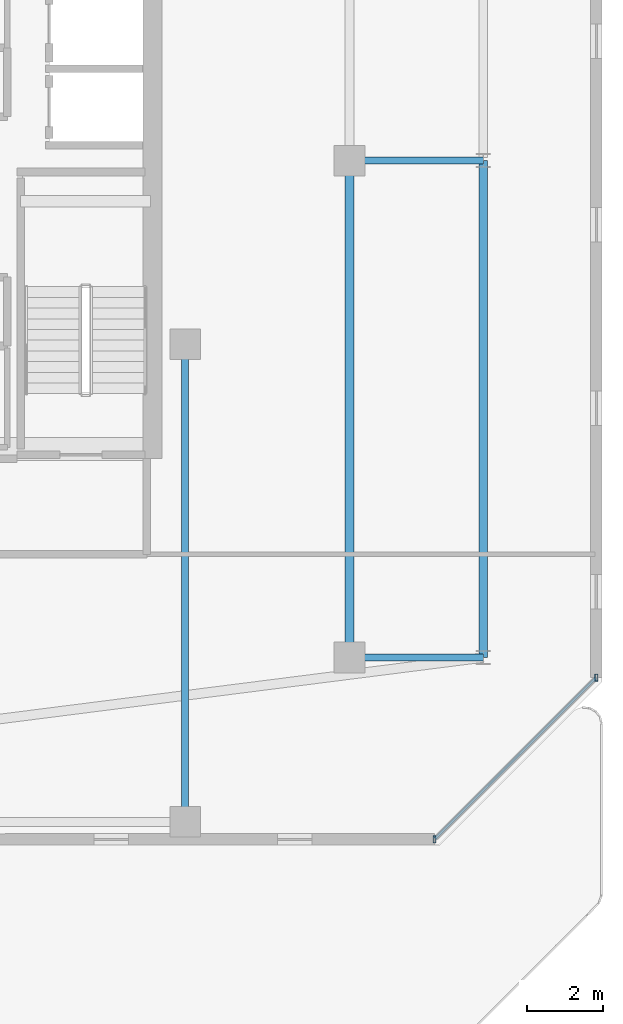
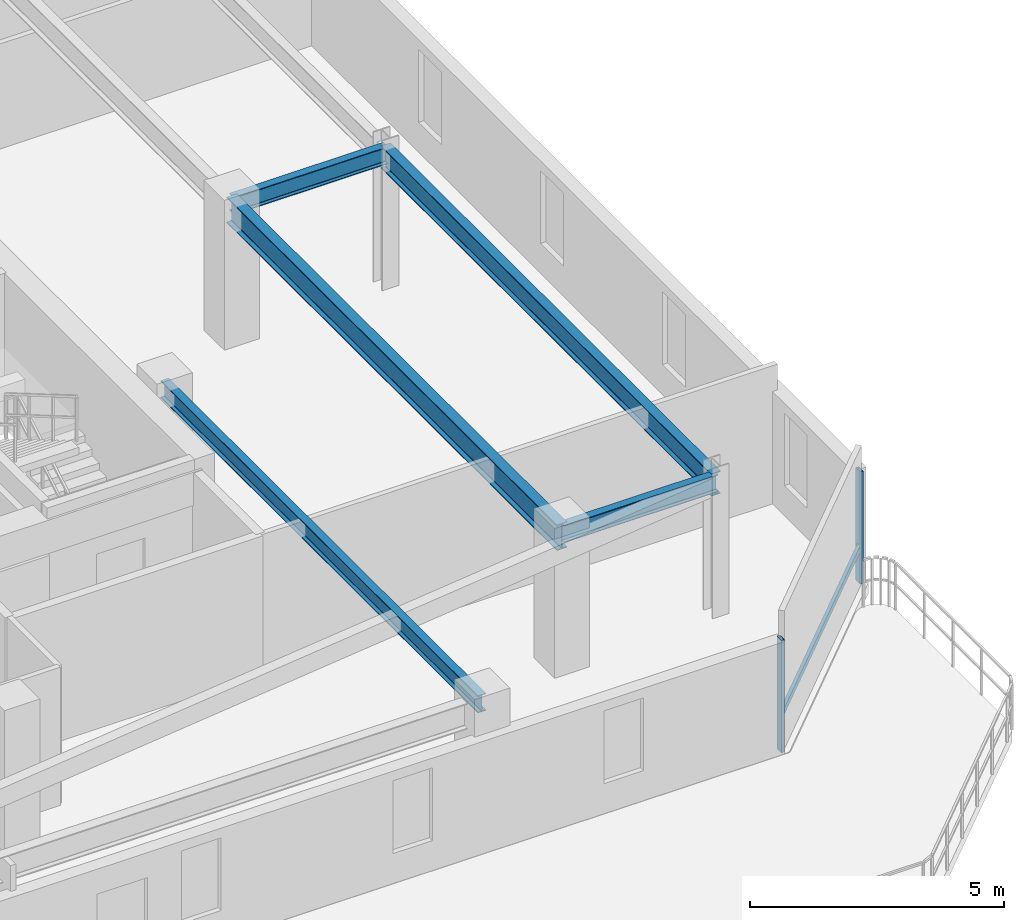
# One storey, part 12 of 31: 5 beams, 3 members, 1 element without a shape of its own.
"""IFC4 building model written with IfcOpenShell, lengths in metres."""

from ifc_helpers import new_model, si_unit, direction, frame, origin, origin_2d, place, context, subcontext, project, spatial, hollow_rectangle, i_section, extrude, material, material_profile, profile_set, type_object, element, aggregate, save


model = new_model("IFC4")

# Units and contexts
model_context = context("Model", 3, precision=1e-05, world=origin(), true_north=direction((0.0, 1.0)))
body_context = subcontext(model_context, "Body", "Model", "MODEL_VIEW")
ifc_project = project(units=[si_unit("LENGTHUNIT", "METRE"), si_unit("AREAUNIT", "SQUARE_METRE"), si_unit("VOLUMEUNIT", "CUBIC_METRE"), si_unit("PLANEANGLEUNIT", "RADIAN"), si_unit("MASSUNIT", "GRAM", prefix="KILO")], contexts=[model_context])

# Site, building, storey
site_placement = place(None, origin())
site = spatial("IfcSite", under=ifc_project, at=site_placement, CompositionType="ELEMENT")
building_placement = place(site_placement, origin())
building = spatial("IfcBuilding", under=site, at=building_placement, Name="Thornwick Lancets Civic Towers", CompositionType="ELEMENT")
storey_placement = place(building_placement, frame((0.0, 0.0, 254.699951171875)))
storey = spatial("IfcBuildingStorey", under=building, at=storey_placement, Name="L68", CompositionType="ELEMENT", Elevation=254.699951171875)

# Beams
ifc_material_1 = material(Name="Steel S355JR", Category="steel")
ifc_material_profile_1 = material_profile(ifc_material_1, i_section(OverallWidth=0.210693359375, OverallDepth=0.53955078125, WebThickness=0.01171875, FlangeThickness=0.018798828125, FilletRadius=0.0126953125, at=origin_2d()), Name="UKB 533x210x109")
ifc_profile_set_1 = profile_set([ifc_material_profile_1], Name="Steel S355JR")
beam_type_1 = type_object("IfcBeamType", Name="BM_EDGE_533_109", PredefinedType="SPANDREL", material=ifc_profile_set_1)
beam_1_placement = place(storey_placement, frame((109.300048828125, 14.0, 3.0703125), z_axis=(0.0, 1.0, 0.0), x_axis=(-1.0, 0.0, 0.0)))
element("IfcBeam", 1, at=beam_1_placement, inside=storey, type_object=beam_type_1, Name="BM-EDGE-L68-B-S0-1", PredefinedType="SPANDREL", context=body_context, shape_type="SweptSolid", body=[
    extrude(i_section(OverallWidth=0.210693359375, OverallDepth=0.53955078125, WebThickness=0.01171875, FlangeThickness=0.018798828125, FilletRadius=0.0126953125, at=origin_2d()), origin(), (0.0, 0.0, 1.0), 13.0),
])
ifc_material_profile_2 = material_profile(ifc_material_1, i_section(OverallWidth=0.230224609375, OverallDepth=0.6171875, WebThickness=0.01318359375, FlangeThickness=0.022216796875, FilletRadius=0.0126953125, at=origin_2d()), Name="UKB 610x229x140")
ifc_profile_set_2 = profile_set([ifc_material_profile_2], Name="Steel S355JR")
beam_type_2 = type_object("IfcBeamType", Name="BM_GIRD_610_140", PredefinedType="BEAM", material=ifc_profile_set_2)
beam_2_placement = place(storey_placement, frame((105.800048828125, 14.0, 3.031494140625), z_axis=(0.0, 1.0, 0.0), x_axis=(-1.0, 0.0, 0.0)))
element("IfcBeam", 2, at=beam_2_placement, inside=storey, type_object=beam_type_2, Name="BM-SPINE-L68-B-0-1", PredefinedType="BEAM", context=body_context, shape_type="SweptSolid", body=[
    extrude(i_section(OverallWidth=0.230224609375, OverallDepth=0.6171875, WebThickness=0.01318359375, FlangeThickness=0.022216796875, FilletRadius=0.0126953125, at=origin_2d()), origin(), (0.0, 0.0, 1.0), 13.0),
])
ifc_material_profile_3 = material_profile(ifc_material_1, i_section(OverallWidth=0.179443359375, OverallDepth=0.412841796875, WebThickness=0.009521484375, FlangeThickness=0.01611328125, FilletRadius=0.01025390625, at=origin_2d()), Name="UKB 406x178x74")
ifc_profile_set_3 = profile_set([ifc_material_profile_3], Name="Steel S355JR")
beam_type_3 = type_object("IfcBeamType", Name="BM_JOIST_406_74", PredefinedType="JOIST", material=ifc_profile_set_3)
for number, where, z_axis, x_axis, name in (
    (3, (105.800048828125, 14.0, 3.133544921875), (1.0, 0.0, 0.0), (0.0, 1.0, 0.0), "BM-RAD-L68-B01"),
    (4, (105.800048828125, 27.0, 3.133544921875), (1.0, 0.0, 0.0), (0.0, 1.0, 0.0), "BM-RAD-L68-B02"),
):
    element("IfcBeam", number, at=place(storey_placement, frame(where, z_axis=z_axis, x_axis=x_axis)), inside=storey, type_object=beam_type_3, Name=name, PredefinedType="JOIST", context=body_context, shape_type="SweptSolid", body=[
        extrude(i_section(OverallWidth=0.179443359375, OverallDepth=0.412841796875, WebThickness=0.009521484375, FlangeThickness=0.01611328125, FilletRadius=0.01025390625, at=origin_2d()), origin(), (0.0, 0.0, 1.0), 3.5),
    ])
beam_3_placement = place(storey_placement, frame((101.5, 22.199951171875, 3.133544921875), z_axis=(0.0, -1.0, 0.0), x_axis=(1.0, 0.0, 0.0)))
element("IfcBeam", 5, at=beam_3_placement, inside=storey, type_object=beam_type_3, Name="BM-RADIN-L68-B10", PredefinedType="JOIST", context=body_context, shape_type="SweptSolid", body=[
    extrude(i_section(OverallWidth=0.179443359375, OverallDepth=0.412841796875, WebThickness=0.009521484375, FlangeThickness=0.01611328125, FilletRadius=0.01025390625, at=origin_2d()), origin(), (0.0, 0.0, 1.0), 12.5),
])

# Curtain wall, members
ifc_material_2 = material(Name="High-zone chamfered-corner unitised glass curtain wall", Category="glass")
curtain_wall_type = type_object("IfcCurtainWallType", Name="CW_SYS_05", PredefinedType="NOTDEFINED", material=ifc_material_2)
curtain_wall_placement = place(storey_placement, origin())
curtain_wall = element("IfcCurtainWall", 6, at=curtain_wall_placement, inside=storey, type_object=curtain_wall_type, Name="L68 Curtain Wall CW-L68-B-E1", PredefinedType="NOTDEFINED")
ifc_material_3 = material(Name="Thermally broken bronze aluminium S355", Category="steel")
ifc_material_profile_4 = material_profile(ifc_material_3, hollow_rectangle(XDim=0.074951171875, YDim=0.179931640625, WallThickness=0.006103515625, at=origin_2d()), Name="RHS 180x75x6")
ifc_profile_set_4 = profile_set([ifc_material_profile_4], Name="Thermally broken bronze aluminium S355")
member_type_1 = type_object("IfcMemberType", Name="CW_MUL_180", PredefinedType="MULLION", material=ifc_profile_set_4)
member_1_placement = place(storey_placement, frame((108.02587890625, 9.24072265625, 0.0), z_axis=(0.0, 0.0, 1.0), x_axis=(1.0, 0.0, 0.0)))
member_1 = element("IfcMember", 7, at=member_1_placement, type_object=member_type_1, Name="CW-L68-B-E1 Mullion 0", PredefinedType="MULLION", context=body_context, shape_type="SweptSolid", body=[
    extrude(hollow_rectangle(XDim=0.074951171875, YDim=0.179931640625, WallThickness=0.006103515625, at=origin_2d()), origin(), (0.0, 0.0, 1.0), 2.699951171875),
])
member_2_placement = place(storey_placement, frame((112.25927734375, 13.47412109375, 0.0), z_axis=(0.0, 0.0, 1.0), x_axis=(1.0, 0.0, 0.0)))
member_2 = element("IfcMember", 8, at=member_2_placement, type_object=member_type_1, Name="CW-L68-B-E1 Mullion 1", PredefinedType="MULLION", context=body_context, shape_type="SweptSolid", body=[
    extrude(hollow_rectangle(XDim=0.074951171875, YDim=0.179931640625, WallThickness=0.006103515625, at=origin_2d()), origin(), (0.0, 0.0, 1.0), 2.699951171875),
])
ifc_material_profile_5 = material_profile(ifc_material_3, hollow_rectangle(XDim=0.074951171875, YDim=0.14990234375, WallThickness=0.0048828125, at=origin_2d()), Name="RHS 150x75x5")
ifc_profile_set_5 = profile_set([ifc_material_profile_5], Name="Thermally broken bronze aluminium S355")
member_type_2 = type_object("IfcMemberType", Name="CW_TRN_150", PredefinedType="USERDEFINED", material=ifc_profile_set_5)
member_3_placement = place(storey_placement, frame((108.0400390625, 9.2548828125, 0.85009765625), z_axis=(0.707106781187, 0.707106781187, 0.0), x_axis=(-0.707106781187, 0.707106781187, 0.0)))
member_3 = element("IfcMember", 9, at=member_3_placement, type_object=member_type_2, Name="CW-L68-B-E1 Transom 0", ObjectType="TRANSOM", PredefinedType="USERDEFINED", context=body_context, shape_type="SweptSolid", body=[
    extrude(hollow_rectangle(XDim=0.074951171875, YDim=0.14990234375, WallThickness=0.0048828125, at=origin_2d()), origin(), (0.0, 0.0, 1.0), 5.94677734375),
])
aggregate(curtain_wall, [member_1, member_2, member_3])

save(model, "model.ifc")
